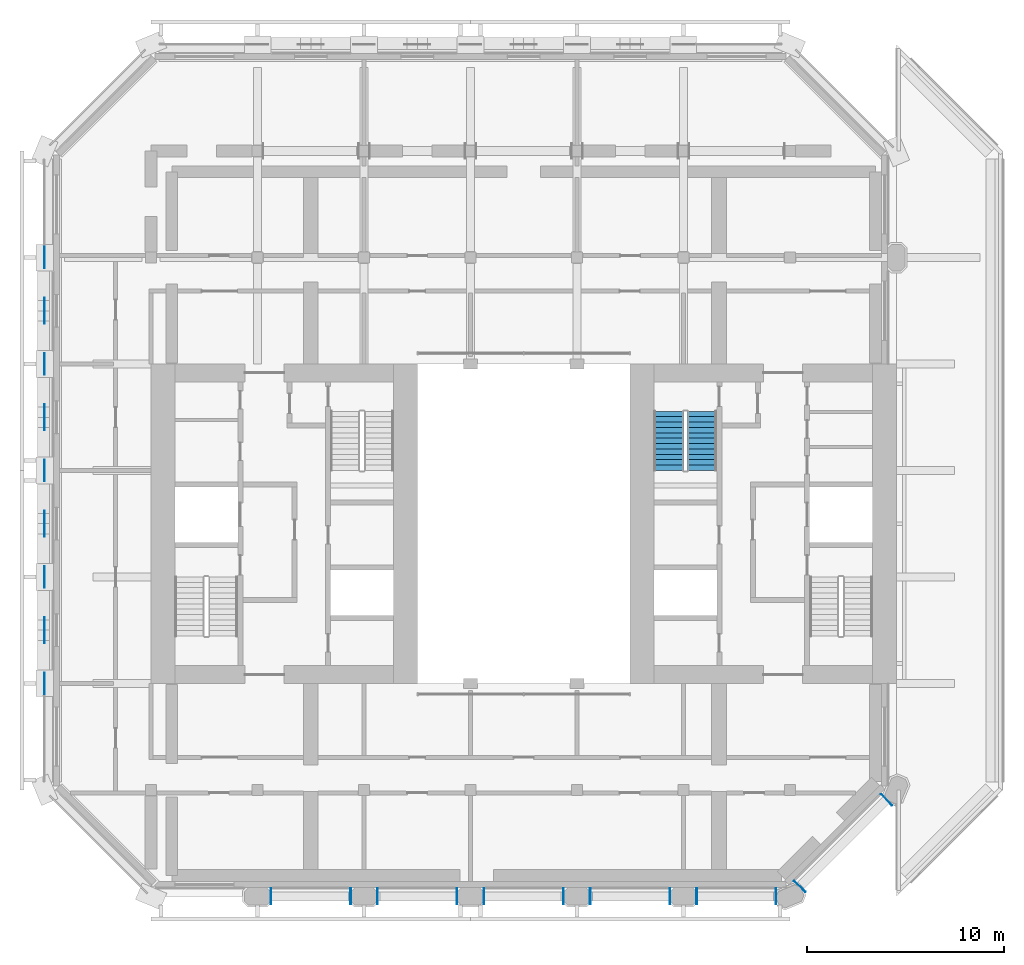
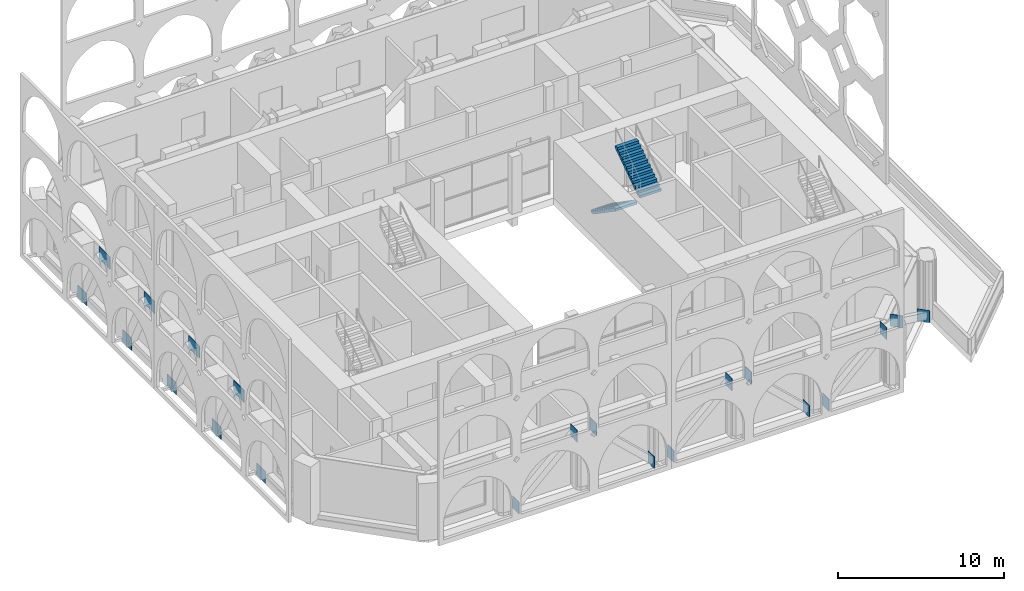
# One storey, part 11 of 16: 21 discrete accessories, 2 stair flights, 1 element without a shape of its own.
"""IFC4 building model written with IfcOpenShell, lengths in metres."""

from ifc_helpers import new_model, si_unit, direction, frame, origin, origin_2d, place, context, subcontext, project, spatial, polyline, rectangle, outline, extrude, material, layer, layer_set, type_object, element, aggregate, save


model = new_model("IFC4")

# Units and contexts
model_context = context("Model", 3, precision=1e-05, world=origin(), true_north=direction((0.0, 1.0)))
body_context = subcontext(model_context, "Body", "Model", "MODEL_VIEW")
ifc_project = project(units=[si_unit("LENGTHUNIT", "METRE"), si_unit("AREAUNIT", "SQUARE_METRE"), si_unit("VOLUMEUNIT", "CUBIC_METRE"), si_unit("PLANEANGLEUNIT", "RADIAN"), si_unit("MASSUNIT", "GRAM", prefix="KILO")], contexts=[model_context])

# Site, building, storey
site_placement = place(None, origin())
site = spatial("IfcSite", under=ifc_project, at=site_placement, CompositionType="ELEMENT")
building_placement = place(site_placement, origin())
building = spatial("IfcBuilding", under=site, at=building_placement, Name="Tabaq Tower and Sports Hall", CompositionType="ELEMENT")
storey_placement = place(building_placement, frame((0.0, 0.0, 308.199951171875)))
storey = spatial("IfcBuildingStorey", under=building, at=storey_placement, Name="L77", CompositionType="ELEMENT", Elevation=308.199951171875)

# Stair, stair flights
ifc_material_1 = material(Name="Concrete C40/50", Category="concrete")
stair_type = type_object("IfcStairType", Name="Exit stair", PredefinedType="HALF_TURN_STAIR", material=ifc_material_1)
stair_placement = place(storey_placement, origin())
stair = element("IfcStair", 1, at=stair_placement, inside=storey, type_object=stair_type, Name="L77 Exit stair ST4", PredefinedType="HALF_TURN_STAIR")
ifc_material_2 = material(Name="Concrete C40/50", Category="concrete")
stair_flight_type = type_object("IfcStairFlightType", Name="Exit stair flight", PredefinedType="STRAIGHT", material=ifc_material_2)
stair_flight_1_placement = place(storey_placement, frame((31.64990234375, 30.0, 0.0), z_axis=(0.0, 0.0, 1.0), x_axis=(0.0, -1.0, 0.0)))
stair_flight_1 = element("IfcStairFlight", 2, at=stair_flight_1_placement, type_object=stair_flight_type, Name="ST4 flight 1", NumberOfRisers=12, NumberOfTreads=11, PredefinedType="STRAIGHT", RiserHeight=0.1875, TreadLength=0.272727273, context=body_context, shape_type="SweptSolid", body=[
    extrude(outline(polyline([(0.0, 0.0), (0.0, 0.1875), (0.272705078125, 0.1875), (0.272705078125, 0.375), (0.54541015625, 0.375), (0.54541015625, 0.5625), (0.818115234375, 0.5625), (0.818115234375, 0.75), (1.0908203125, 0.75), (1.0908203125, 0.9375), (1.363525390625, 0.9375), (1.363525390625, 1.125), (1.636474609375, 1.125), (1.636474609375, 1.3125), (1.9091796875, 1.3125), (1.9091796875, 1.5), (2.181884765625, 1.5), (2.181884765625, 1.6875), (2.45458984375, 1.6875), (2.45458984375, 1.875), (2.727294921875, 1.875), (2.727294921875, 2.0625), (3.0, 2.0625), (3.0, 2.25), (3.0, 1.880615234375), (0.2646484375, 0.0), (0.0, 0.0)])), frame((0.0, 0.75, 0.0), z_axis=(0.0, -1.0, 0.0), x_axis=(1.0, 0.0, 0.0)), (0.0, 0.0, 1.0), 1.5),
])
stair_flight_2_placement = place(storey_placement, frame((33.35009765625, 27.0, 2.25), z_axis=(0.0, 0.0, 1.0), x_axis=(0.0, 1.0, 0.0)))
stair_flight_2 = element("IfcStairFlight", 3, at=stair_flight_2_placement, type_object=stair_flight_type, Name="ST4 flight 2", NumberOfRisers=12, NumberOfTreads=11, PredefinedType="STRAIGHT", RiserHeight=0.1875, TreadLength=0.272727273, context=body_context, shape_type="SweptSolid", body=[
    extrude(outline(polyline([(0.0, 0.0), (0.0, 0.1875), (0.272705078125, 0.1875), (0.272705078125, 0.375), (0.54541015625, 0.375), (0.54541015625, 0.5625), (0.818115234375, 0.5625), (0.818115234375, 0.75), (1.0908203125, 0.75), (1.0908203125, 0.9375), (1.363525390625, 0.9375), (1.363525390625, 1.125), (1.636474609375, 1.125), (1.636474609375, 1.3125), (1.9091796875, 1.3125), (1.9091796875, 1.5), (2.181884765625, 1.5), (2.181884765625, 1.6875), (2.45458984375, 1.6875), (2.45458984375, 1.875), (2.727294921875, 1.875), (2.727294921875, 2.0625), (3.0, 2.0625), (3.0, 2.25), (3.0, 1.880615234375), (0.2646484375, 0.0), (0.0, 0.0)])), frame((0.0, 0.75, 0.0), z_axis=(0.0, -1.0, 0.0), x_axis=(1.0, 0.0, 0.0)), (0.0, 0.0, 1.0), 1.5),
])
aggregate(stair, [stair_flight_1, stair_flight_2])

# Discrete accessories
ifc_material_3 = material(Name="Steel S355", Category="steel")
ifc_layer_1 = layer(ifc_material_3, 0.030029296875)
ifc_layer_set_1 = layer_set([ifc_layer_1], Name="BELT TRUSS NODE PLATE 800x900x30 S355")
discrete_accessory_type_1 = type_object("IfcDiscreteAccessoryType", Name="BELT TRUSS NODE PLATE 800x900x30 S355", PredefinedType="ANCHORPLATE", material=ifc_layer_set_1)
for number, where, z_axis, x_axis, name in (
    (4, (11.47509765625, 5.39990234375, -0.2861328125), (0.0, 0.0, 1.0), (1.0, 0.0, 0.0), "Belt truss node plate L77"),
    (5, (15.52490234375, 5.39990234375, 3.58642578125), (0.0, 0.0, 1.0), (1.0, 0.0, 0.0), "Belt truss node plate L77"),
    (6, (16.875, 5.39990234375, 3.58642578125), (0.0, 0.0, 1.0), (1.0, 0.0, 0.0), "Belt truss node plate L77"),
    (7, (20.925048828125, 5.39990234375, -0.2861328125), (0.0, 0.0, 1.0), (1.0, 0.0, 0.0), "Belt truss node plate L77"),
    (8, (22.27490234375, 5.39990234375, -0.2861328125), (0.0, 0.0, 1.0), (1.0, 0.0, 0.0), "Belt truss node plate L77"),
    (9, (26.324951171875, 5.39990234375, 3.58642578125), (0.0, 0.0, 1.0), (1.0, 0.0, 0.0), "Belt truss node plate L77"),
    (10, (27.675048828125, 5.39990234375, 3.58642578125), (0.0, 0.0, 1.0), (1.0, 0.0, 0.0), "Belt truss node plate L77"),
    (11, (31.72509765625, 5.39990234375, -0.2861328125), (0.0, 0.0, 1.0), (1.0, 0.0, 0.0), "Belt truss node plate L77"),
    (12, (33.074951171875, 5.39990234375, -0.286865234375), (0.0, 0.0, 1.0), (1.0, 0.0, 0.0), "Belt truss node plate L77"),
    (13, (37.09033203125, 5.39990234375, 3.5869140625), (0.0, 0.0, 1.0), (1.0, 0.0, 0.0), "Belt truss node plate L77"),
    (14, (38.3017578125, 5.90185546875, 3.557861328125), (0.0, 0.0, 1.0), (0.707106781187, 0.707106781187, 0.0), "Belt truss node plate L77"),
    (15, (42.6982421875, 10.298095703125, -0.257568359375), (0.0, 0.0, 1.0), (0.707106781187, 0.707106781187, 0.0), "Belt truss node plate L77"),
):
    element("IfcDiscreteAccessory", number, at=place(storey_placement, frame(where, z_axis=z_axis, x_axis=x_axis)), inside=storey, type_object=discrete_accessory_type_1, Name=name, PredefinedType="ANCHORPLATE", context=body_context, shape_type="SweptSolid", body=[
        extrude(rectangle(XDim=0.030029296875, YDim=0.800048828125, at=origin_2d()), origin(), (0.0, 0.0, 1.0), 0.89990234375),
    ])
ifc_material_4 = material(Name="Steel S355", Category="steel")
ifc_layer_2 = layer(ifc_material_4, 0.030029296875)
ifc_layer_set_2 = layer_set([ifc_layer_2], Name="TRANSFER BAND NODE PLATE 1100x900x30 S355")
discrete_accessory_type_2 = type_object("IfcDiscreteAccessoryType", Name="TRANSFER BAND NODE PLATE 1100x900x30 S355", PredefinedType="ANCHORPLATE", material=ifc_layer_set_2)
for number, where, z_axis, x_axis, name in (
    (16, (-0.014892578125, 16.199951171875, -0.5), (0.0, 0.0, 1.0), (0.0, -1.0, 0.0), "Transfer band node plate L77 West"),
    (17, (-0.014892578125, 21.60009765625, -0.5), (0.0, 0.0, 1.0), (0.0, -1.0, 0.0), "Transfer band node plate L77 West"),
    (18, (-0.014892578125, 27.0, -0.5), (0.0, 0.0, 1.0), (0.0, -1.0, 0.0), "Transfer band node plate L77 West"),
    (19, (-0.014892578125, 32.39990234375, -0.5), (0.0, 0.0, 1.0), (0.0, -1.0, 0.0), "Transfer band node plate L77 West"),
    (20, (-0.014892578125, 37.800048828125, -0.5), (0.0, 0.0, 1.0), (0.0, -1.0, 0.0), "Transfer band node plate L77 West"),
):
    element("IfcDiscreteAccessory", number, at=place(storey_placement, frame(where, z_axis=z_axis, x_axis=x_axis)), inside=storey, type_object=discrete_accessory_type_2, Name=name, PredefinedType="ANCHORPLATE", context=body_context, shape_type="SweptSolid", body=[
        extrude(rectangle(XDim=1.10009765625, YDim=0.030029296875, at=origin_2d()), origin(), (0.0, 0.0, 1.0), 0.89990234375),
    ])
ifc_material_5 = material(Name="Steel S355", Category="steel")
ifc_layer_3 = layer(ifc_material_5, 0.030029296875)
ifc_layer_set_3 = layer_set([ifc_layer_3], Name="TRANSFER BAND NODE PLATE 1300x900x30 S355")
discrete_accessory_type_3 = type_object("IfcDiscreteAccessoryType", Name="TRANSFER BAND NODE PLATE 1300x900x30 S355", PredefinedType="ANCHORPLATE", material=ifc_layer_set_3)
for number, where, z_axis, x_axis, name in (
    (21, (-0.014892578125, 18.89990234375, 3.900146484375), (0.0, 0.0, 1.0), (0.0, -1.0, 0.0), "Transfer band node plate L77 West"),
    (22, (-0.014892578125, 24.300048828125, 3.900146484375), (0.0, 0.0, 1.0), (0.0, -1.0, 0.0), "Transfer band node plate L77 West"),
    (23, (-0.014892578125, 29.699951171875, 3.900146484375), (0.0, 0.0, 1.0), (0.0, -1.0, 0.0), "Transfer band node plate L77 West"),
    (24, (-0.014892578125, 35.10009765625, 3.900146484375), (0.0, 0.0, 1.0), (0.0, -1.0, 0.0), "Transfer band node plate L77 West"),
):
    element("IfcDiscreteAccessory", number, at=place(storey_placement, frame(where, z_axis=z_axis, x_axis=x_axis)), inside=storey, type_object=discrete_accessory_type_3, Name=name, PredefinedType="ANCHORPLATE", context=body_context, shape_type="SweptSolid", body=[
        extrude(rectangle(XDim=1.300048828125, YDim=0.030029296875, at=origin_2d()), origin(), (0.0, 0.0, 1.0), 0.89990234375),
    ])

save(model, "model.ifc")
